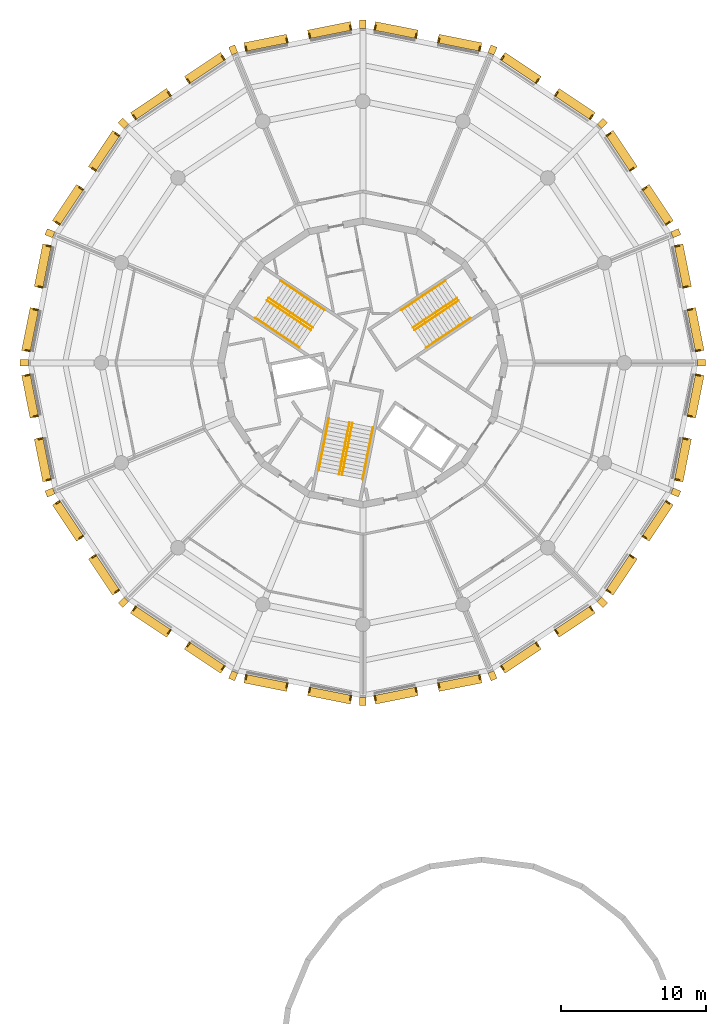
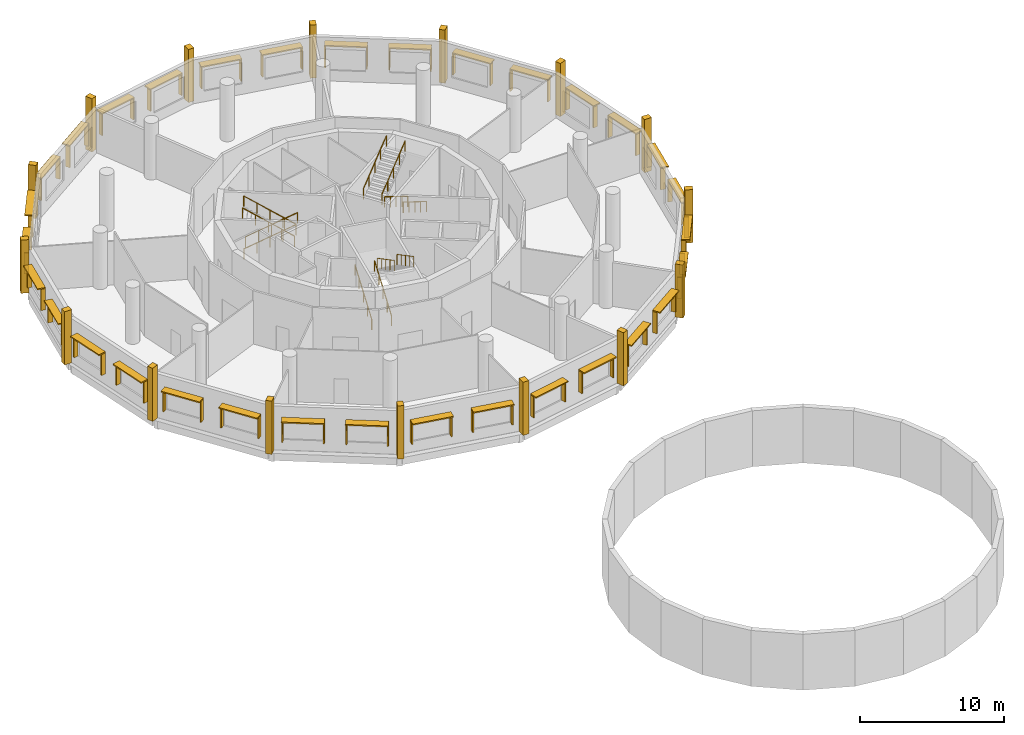
# One storey, part 8 of 8: 80 coverings, 32 shading devices, 12 railings.
"""IFC4 building model written with IfcOpenShell, lengths in metres."""

import ifcopenshell
import ifcopenshell.guid

model = None  # the IFC model being written
_history = None  # IfcOwnerHistory: only IFC2X3 demands one
_inside = {}  # id of a spatial element -> (the spatial element, [elements in it])
_under = {}  # id of a project, library or spatial element -> (it, [spatial elements below it])
_declared = {}  # id of a project -> (the project, [libraries it declares])
_typed = {}  # id of a type object -> (the type object, [elements of that type])
_made_of = {}  # id of a material, layer set ... -> (it, [elements and type objects made of it])


def new_model(schema):
    """Start an empty IFC model of exactly this schema.

    Asked for "IFC4X3", IfcOpenShell would pick the latest addendum, in which some entities
    have other attributes; the version numbers below select the first issue.
    IFC2X3 requires an IfcOwnerHistory on every rooted entity: one is made here for all.
    """
    global model, _history
    if schema == "IFC4X3":
        model = ifcopenshell.file(schema_version=(4, 3, 0, 0))
    else:
        model = ifcopenshell.file(schema=schema)
    _inside.clear()
    _under.clear()
    _declared.clear()
    _typed.clear()
    _made_of.clear()
    _history = None
    if model.schema == "IFC2X3":
        org = make("IfcOrganization", Name="unknown")
        user = make(
            "IfcPersonAndOrganization",
            ThePerson=make("IfcPerson", FamilyName="unknown"),
            TheOrganization=org,
        )
        app = make(
            "IfcApplication",
            ApplicationDeveloper=org,
            Version="unknown",
            ApplicationFullName="unknown",
            ApplicationIdentifier="unknown",
        )
        _history = make(
            "IfcOwnerHistory",
            OwningUser=user,
            OwningApplication=app,
            ChangeAction="ADDED",
            CreationDate=0,
        )
    return model


def make(cls, **values):
    """One entity of the class cls with the attributes given. An attribute that is None is left unset."""
    return model.create_entity(
        cls, **{name: value for name, value in values.items() if value is not None}
    )


def rooted(cls, **values):
    """An entity with a GlobalId (a new one), such as an element, a storey or a relation."""
    return make(cls, GlobalId=ifcopenshell.guid.new(), OwnerHistory=_history, **values)


def si_unit(unit_type, name, prefix=None):
    """IfcSIUnit, for example si_unit("LENGTHUNIT", "METRE", prefix="MILLI")."""
    return make("IfcSIUnit", UnitType=unit_type, Prefix=prefix, Name=name)


def assignment(units):
    """IfcUnitAssignment: the units of a project."""
    return None if units is None else make("IfcUnitAssignment", Units=units)


def point(xyz):
    """IfcCartesianPoint."""
    return None if xyz is None else make("IfcCartesianPoint", Coordinates=xyz)


def direction(xyz):
    """IfcDirection."""
    return None if xyz is None else make("IfcDirection", DirectionRatios=xyz)


def frame(location, z_axis=None, x_axis=None):
    """IfcAxis2Placement3D, a coordinate frame: its origin and axes. An axis left out is left unset."""
    return make(
        "IfcAxis2Placement3D",
        Location=point(location),
        Axis=direction(z_axis),
        RefDirection=direction(x_axis),
    )


def frame_2d(location, x_axis=None):
    """IfcAxis2Placement2D, a coordinate frame in the plane: its origin and x axis."""
    return make(
        "IfcAxis2Placement2D", Location=point(location), RefDirection=direction(x_axis)
    )


def origin():
    """The frame at (0, 0, 0) with its axes left unset."""
    return frame((0.0, 0.0, 0.0))


def origin_2d():
    """The frame at (0, 0) in the plane with its x axis left unset."""
    return frame_2d((0.0, 0.0))


def place(relative_to, where):
    """IfcLocalPlacement: puts the frame where relative to a parent placement (None: the world)."""
    return make(
        "IfcLocalPlacement", PlacementRelTo=relative_to, RelativePlacement=where
    )


def context(
    kind, dimensions, precision=None, world=None, true_north=None, identifier=None
):
    """IfcGeometricRepresentationContext, for example the 3D "Model" context."""
    return make(
        "IfcGeometricRepresentationContext",
        ContextIdentifier=identifier,
        ContextType=kind,
        CoordinateSpaceDimension=dimensions,
        Precision=precision,
        WorldCoordinateSystem=world,
        TrueNorth=true_north,
    )


def subcontext(parent, identifier, kind, view, scale=None):
    """IfcGeometricRepresentationSubContext, for example "Body" below "Model"."""
    return make(
        "IfcGeometricRepresentationSubContext",
        ContextIdentifier=identifier,
        ContextType=kind,
        ParentContext=parent,
        TargetScale=scale,
        TargetView=view,
    )


def project(units=None, contexts=None):
    """IfcProject with its units and contexts."""
    return rooted(
        "IfcProject",
        Name="project",
        RepresentationContexts=contexts,
        UnitsInContext=assignment(units),
    )


def spatial(cls, under=None, at=None, **own):
    """A site, building, storey or space (cls), placed at a placement, below another one or the project."""
    s = rooted(cls, ObjectPlacement=at, **own)
    if under is not None:
        _under.setdefault(under.id(), (under, []))[1].append(s)
    return s


def profile(cls, at=None, kind="AREA", **sizes):
    """A parametric profile (cls). Its sizes go by their IFC names, for example OverallWidth=200.0."""
    return make(cls, ProfileType=kind, Position=at, **sizes)


def rectangle(**sizes):
    """IfcRectangleProfileDef."""
    return profile("IfcRectangleProfileDef", **sizes)


def circle(**sizes):
    """IfcCircleProfileDef."""
    return profile("IfcCircleProfileDef", **sizes)


def extrude(swept, where, along, depth):
    """IfcExtrudedAreaSolid: the profile swept, set in the frame where, extruded along a direction by depth."""
    return make(
        "IfcExtrudedAreaSolid",
        SweptArea=swept,
        Position=where,
        ExtrudedDirection=direction(along),
        Depth=depth,
    )


def shape(context_of_items, identifier, shape_type, items):
    """IfcShapeRepresentation: the items that make up one representation, for example the "Body"."""
    return make(
        "IfcShapeRepresentation",
        ContextOfItems=context_of_items,
        RepresentationIdentifier=identifier,
        RepresentationType=shape_type,
        Items=items,
    )


def material(Name=None, Category=None):
    """IfcMaterial."""
    return make("IfcMaterial", Name=Name, Category=Category)


def layer(
    of_material, thickness, ventilated=None, Name=None, Category=None, Priority=None
):
    """IfcMaterialLayer: one layer of a wall or slab, of a material (None: an air gap)."""
    return make(
        "IfcMaterialLayer",
        Material=of_material,
        LayerThickness=thickness,
        IsVentilated=ventilated,
        Name=Name,
        Category=Category,
        Priority=Priority,
    )


def layer_set(layers, Name=None):
    """IfcMaterialLayerSet."""
    return make("IfcMaterialLayerSet", MaterialLayers=layers, LayerSetName=Name)


def made_of(thing, what):
    """Note that an element or type object is made of a material, layer set ...; save() writes the relation."""
    if what is not None:
        _made_of.setdefault(what.id(), (what, []))[1].append(thing)
    return thing


def type_object(cls, material=None, **own):
    """A type object (cls), such as IfcWallType, which elements share."""
    return made_of(rooted(cls, **own), material)


def element(
    cls,
    number,
    at=None,
    inside=None,
    cuts=None,
    type_object=None,
    material=None,
    context=None,
    identifier="Body",
    shape_type=None,
    held_by="IfcProductDefinitionShape",
    body=None,
    shapes=None,
    **own,
):
    """One element of the class cls, such as IfcWall. Its Tag is "e" and its number.

    at: its placement. inside: the storey or other place that contains it. cuts: it is an
    opening in that element (IfcRelVoidsElement). A single representation is given by context,
    identifier, shape_type and body (its items); several are given by shapes. held_by: the class
    of the entity that holds the representations. save() writes the other relations.
    """
    e = rooted(cls, Tag="e%d" % number, ObjectPlacement=at, **own)
    if body is not None:
        shapes = [shape(context, identifier, shape_type, body)]
    if shapes is not None:
        e.Representation = make(held_by, Representations=shapes)
    if inside is not None:
        _inside.setdefault(inside.id(), (inside, []))[1].append(e)
    if cuts is not None:
        rooted(
            "IfcRelVoidsElement", RelatingBuildingElement=cuts, RelatedOpeningElement=e
        )
    if type_object is not None:
        _typed.setdefault(type_object.id(), (type_object, []))[1].append(e)
    return made_of(e, material)


def aggregate(whole, parts):
    """IfcRelAggregates: a whole, such as a stair, and the parts it consists of."""
    return rooted("IfcRelAggregates", RelatingObject=whole, RelatedObjects=parts)


def save(model, path):
    """Write the relations noted so far, then the file.

    IfcRelAggregates (storeys below a building ...), IfcRelContainedInSpatialStructure (elements
    in a storey), IfcRelDefinesByType, IfcRelAssociatesMaterial and IfcRelDeclares: one each for
    every whole, place, type object, material and project.
    """
    for whole, parts in _under.values():
        aggregate(whole, parts)
    for where, things in _inside.values():
        rooted(
            "IfcRelContainedInSpatialStructure",
            RelatedElements=things,
            RelatingStructure=where,
        )
    for kind, things in _typed.values():
        rooted("IfcRelDefinesByType", RelatedObjects=things, RelatingType=kind)
    for what, things in _made_of.values():
        rooted("IfcRelAssociatesMaterial", RelatedObjects=things, RelatingMaterial=what)
    for by, libraries in _declared.values():
        rooted("IfcRelDeclares", RelatingContext=by, RelatedDefinitions=libraries)
    model.write(path)


model = new_model("IFC4")

# Units and contexts
model_context = context("Model", 3, precision=1e-05, world=origin(), true_north=direction((0.0, 1.0)))
body_context = subcontext(model_context, "Body", "Model", "MODEL_VIEW")
ifc_project = project(units=[si_unit("LENGTHUNIT", "METRE"), si_unit("AREAUNIT", "SQUARE_METRE"), si_unit("VOLUMEUNIT", "CUBIC_METRE"), si_unit("PLANEANGLEUNIT", "RADIAN"), si_unit("MASSUNIT", "GRAM", prefix="KILO")], contexts=[model_context])

# Site, building, storey
site_placement = place(None, origin())
site = spatial("IfcSite", under=ifc_project, at=site_placement, CompositionType="ELEMENT")
building_placement = place(site_placement, origin())
building = spatial("IfcBuilding", under=site, at=building_placement, Name="Ceibo Conservatory and Research Tower", CompositionType="ELEMENT")
storey_placement = place(building_placement, frame((0.0, 0.0, 10.800048828125)))
storey = spatial("IfcBuildingStorey", under=building, at=storey_placement, Name="L02", CompositionType="ELEMENT", Elevation=10.800048828125)

# Shading devices
ifc_material_1 = material(Name="Ceramic louvre")
ifc_layer_1 = layer(ifc_material_1, 0.10009765625)
ifc_layer_set_1 = layer_set([ifc_layer_1], Name="Ceramic louvre")
shading_device_type = type_object("IfcShadingDeviceType", Name="Ceramic louvre hood 600", PredefinedType="JALOUSIE", material=ifc_layer_set_1)
for number, where, z_axis, x_axis, name in (
    (1, (70.905517578125, 122.278564453125, 2.699951171875), (0.0, 0.0, 1.0), (-0.195090339134, 0.980785276998, 0.0), "Louvre hood L02 00.1"),
    (2, (70.033935546875, 126.660400390625, 2.699951171875), (0.0, 0.0, 1.0), (-0.195090339134, 0.980785276998, 0.0), "Louvre hood L02 00.2"),
    (3, (68.2900390625, 130.870849609375, 2.699951171875), (0.0, 0.0, 1.0), (-0.555570262043, 0.831469592909, 0.0), "Louvre hood L02 01.1"),
    (4, (65.807861328125, 134.58544921875, 2.699951171875), (0.0, 0.0, 1.0), (-0.555570262043, 0.831469592909, 0.0), "Louvre hood L02 01.2"),
    (5, (62.58544921875, 137.807861328125, 2.699951171875), (0.0, 0.0, 1.0), (-0.831469592909, 0.555570262043, 0.0), "Louvre hood L02 02.1"),
    (6, (58.870849609375, 140.2900390625, 2.699951171875), (0.0, 0.0, 1.0), (-0.831469592909, 0.555570262043, 0.0), "Louvre hood L02 02.2"),
    (7, (54.660400390625, 142.033935546875, 2.699951171875), (0.0, 0.0, 1.0), (-0.980785276998, 0.195090339134, 0.0), "Louvre hood L02 03.1"),
    (8, (50.278564453125, 142.905517578125, 2.699951171875), (0.0, 0.0, 1.0), (-0.980785276998, 0.195090339134, 0.0), "Louvre hood L02 03.2"),
    (9, (45.721435546875, 142.905517578125, 2.699951171875), (0.0, 0.0, 1.0), (-0.980785276998, -0.195090339134, 0.0), "Louvre hood L02 04.1"),
    (10, (41.339599609375, 142.033935546875, 2.699951171875), (0.0, 0.0, 1.0), (-0.980785276998, -0.195090339134, 0.0), "Louvre hood L02 04.2"),
    (11, (37.129150390625, 140.2900390625, 2.699951171875), (0.0, 0.0, 1.0), (-0.831469592909, -0.555570262043, 0.0), "Louvre hood L02 05.1"),
    (12, (33.41455078125, 137.807861328125, 2.699951171875), (0.0, 0.0, 1.0), (-0.831469592909, -0.555570262043, 0.0), "Louvre hood L02 05.2"),
    (13, (30.192138671875, 134.58544921875, 2.699951171875), (0.0, 0.0, 1.0), (-0.555570262043, -0.831469592909, 0.0), "Louvre hood L02 06.1"),
    (14, (27.7099609375, 130.870849609375, 2.699951171875), (0.0, 0.0, 1.0), (-0.555570262043, -0.831469592909, 0.0), "Louvre hood L02 06.2"),
    (15, (25.966064453125, 126.660400390625, 2.699951171875), (0.0, 0.0, 1.0), (-0.195090339134, -0.980785276998, 0.0), "Louvre hood L02 07.1"),
    (16, (25.094482421875, 122.278564453125, 2.699951171875), (0.0, 0.0, 1.0), (-0.195090339134, -0.980785276998, 0.0), "Louvre hood L02 07.2"),
    (17, (25.094482421875, 117.721435546875, 2.699951171875), (0.0, 0.0, 1.0), (0.195090339134, -0.980785276998, 0.0), "Louvre hood L02 08.1"),
    (18, (25.966064453125, 113.339599609375, 2.699951171875), (0.0, 0.0, 1.0), (0.195090339134, -0.980785276998, 0.0), "Louvre hood L02 08.2"),
    (19, (27.7099609375, 109.129150390625, 2.699951171875), (0.0, 0.0, 1.0), (0.555570262043, -0.831469592909, 0.0), "Louvre hood L02 09.1"),
    (20, (30.192138671875, 105.41455078125, 2.699951171875), (0.0, 0.0, 1.0), (0.555570262043, -0.831469592909, 0.0), "Louvre hood L02 09.2"),
    (21, (33.41455078125, 102.192138671875, 2.699951171875), (0.0, 0.0, 1.0), (0.831469592909, -0.555570262043, 0.0), "Louvre hood L02 10.1"),
    (22, (37.129150390625, 99.7099609375, 2.699951171875), (0.0, 0.0, 1.0), (0.831469592909, -0.555570262043, 0.0), "Louvre hood L02 10.2"),
    (23, (41.339599609375, 97.966064453125, 2.699951171875), (0.0, 0.0, 1.0), (0.980785276998, -0.195090339134, 0.0), "Louvre hood L02 11.1"),
    (24, (45.721435546875, 97.094482421875, 2.699951171875), (0.0, 0.0, 1.0), (0.980785276998, -0.195090339134, 0.0), "Louvre hood L02 11.2"),
    (25, (50.278564453125, 97.094482421875, 2.699951171875), (0.0, 0.0, 1.0), (0.980785276998, 0.195090339134, 0.0), "Louvre hood L02 12.1"),
    (26, (54.660400390625, 97.966064453125, 2.699951171875), (0.0, 0.0, 1.0), (0.980785276998, 0.195090339134, 0.0), "Louvre hood L02 12.2"),
    (27, (58.870849609375, 99.7099609375, 2.699951171875), (0.0, 0.0, 1.0), (0.831469592909, 0.555570262043, 0.0), "Louvre hood L02 13.1"),
    (28, (62.58544921875, 102.192138671875, 2.699951171875), (0.0, 0.0, 1.0), (0.831469592909, 0.555570262043, 0.0), "Louvre hood L02 13.2"),
    (29, (65.807861328125, 105.41455078125, 2.699951171875), (0.0, 0.0, 1.0), (0.555570262043, 0.831469592909, 0.0), "Louvre hood L02 14.1"),
    (30, (68.2900390625, 109.129150390625, 2.699951171875), (0.0, 0.0, 1.0), (0.555570262043, 0.831469592909, 0.0), "Louvre hood L02 14.2"),
    (31, (70.033935546875, 113.339599609375, 2.699951171875), (0.0, 0.0, 1.0), (0.195090339134, 0.980785276998, 0.0), "Louvre hood L02 15.1"),
    (32, (70.905517578125, 117.721435546875, 2.699951171875), (0.0, 0.0, 1.0), (0.195090339134, 0.980785276998, 0.0), "Louvre hood L02 15.2"),
):
    element("IfcShadingDevice", number, at=place(storey_placement, frame(where, z_axis=z_axis, x_axis=x_axis)), inside=storey, type_object=shading_device_type, Name=name, PredefinedType="JALOUSIE", context=body_context, shape_type="SweptSolid", body=[
        extrude(rectangle(XDim=3.0, YDim=0.60009765625, at=origin_2d()), origin(), (0.0, 0.0, 1.0), 0.10009765625),
    ])

# Coverings
ifc_material_2 = material(Name="Ceramic")
ifc_layer_2 = layer(ifc_material_2, 0.10009765625)
ifc_layer_set_2 = layer_set([ifc_layer_2], Name="Ceramic")
covering_type_1 = type_object("IfcCoveringType", Name="Ceramic reveal cheek 100 x 350", PredefinedType="CLADDING", material=ifc_layer_set_2)
for number, where, z_axis, x_axis, name in (
    (33, (71.06591796875, 120.83203125, 0.89990234375), (0.0, 0.0, 1.0), (-0.195090339134, 0.980785276998, 0.0), "Reveal cheek L02 00.1L"),
    (34, (70.5, 123.676513671875, 0.89990234375), (0.0, 0.0, 1.0), (-0.195090339134, 0.980785276998, 0.0), "Reveal cheek L02 00.1R"),
    (35, (70.1943359375, 125.2138671875, 0.89990234375), (0.0, 0.0, 1.0), (-0.195090339134, 0.980785276998, 0.0), "Reveal cheek L02 00.2L"),
    (36, (69.62841796875, 128.05810546875, 0.89990234375), (0.0, 0.0, 1.0), (-0.195090339134, 0.980785276998, 0.0), "Reveal cheek L02 00.2R"),
    (37, (68.99169921875, 129.595703125, 0.89990234375), (0.0, 0.0, 1.0), (-0.555570262043, 0.831469592909, 0.0), "Reveal cheek L02 01.1L"),
    (38, (67.38037109375, 132.007080078125, 0.89990234375), (0.0, 0.0, 1.0), (-0.555570262043, 0.831469592909, 0.0), "Reveal cheek L02 01.1R"),
    (39, (66.509521484375, 133.310302734375, 0.89990234375), (0.0, 0.0, 1.0), (-0.555570262043, 0.831469592909, 0.0), "Reveal cheek L02 01.2L"),
    (40, (64.8984375, 135.7216796875, 0.89990234375), (0.0, 0.0, 1.0), (-0.555570262043, 0.831469592909, 0.0), "Reveal cheek L02 01.2R"),
    (41, (63.7216796875, 136.8984375, 0.89990234375), (0.0, 0.0, 1.0), (-0.831469592909, 0.555570262043, 0.0), "Reveal cheek L02 02.1L"),
    (42, (61.310302734375, 138.509521484375, 0.89990234375), (0.0, 0.0, 1.0), (-0.831469592909, 0.555570262043, 0.0), "Reveal cheek L02 02.1R"),
    (43, (60.0068359375, 139.380615234375, 0.89990234375), (0.0, 0.0, 1.0), (-0.831469592909, 0.555570262043, 0.0), "Reveal cheek L02 02.2L"),
    (44, (57.595703125, 140.99169921875, 0.89990234375), (0.0, 0.0, 1.0), (-0.831469592909, 0.555570262043, 0.0), "Reveal cheek L02 02.2R"),
    (45, (56.05810546875, 141.62841796875, 0.89990234375), (0.0, 0.0, 1.0), (-0.980785276998, 0.195090339134, 0.0), "Reveal cheek L02 03.1L"),
    (46, (53.2138671875, 142.1943359375, 0.89990234375), (0.0, 0.0, 1.0), (-0.980785276998, 0.195090339134, 0.0), "Reveal cheek L02 03.1R"),
    (47, (51.67626953125, 142.5, 0.89990234375), (0.0, 0.0, 1.0), (-0.980785276998, 0.195090339134, 0.0), "Reveal cheek L02 03.2L"),
    (48, (48.83203125, 143.06591796875, 0.89990234375), (0.0, 0.0, 1.0), (-0.980785276998, 0.195090339134, 0.0), "Reveal cheek L02 03.2R"),
    (49, (47.16796875, 143.06591796875, 0.89990234375), (0.0, 0.0, 1.0), (-0.980785276998, -0.195090339134, 0.0), "Reveal cheek L02 04.1L"),
    (50, (44.323486328125, 142.5, 0.89990234375), (0.0, 0.0, 1.0), (-0.980785276998, -0.195090339134, 0.0), "Reveal cheek L02 04.1R"),
    (51, (42.7861328125, 142.1943359375, 0.89990234375), (0.0, 0.0, 1.0), (-0.980785276998, -0.195090339134, 0.0), "Reveal cheek L02 04.2L"),
    (52, (39.94189453125, 141.62841796875, 0.89990234375), (0.0, 0.0, 1.0), (-0.980785276998, -0.195090339134, 0.0), "Reveal cheek L02 04.2R"),
    (53, (38.404296875, 140.99169921875, 0.89990234375), (0.0, 0.0, 1.0), (-0.831469592909, -0.555570262043, 0.0), "Reveal cheek L02 05.1L"),
    (54, (35.992919921875, 139.38037109375, 0.89990234375), (0.0, 0.0, 1.0), (-0.831469592909, -0.555570262043, 0.0), "Reveal cheek L02 05.1R"),
    (55, (34.689697265625, 138.509521484375, 0.89990234375), (0.0, 0.0, 1.0), (-0.831469592909, -0.555570262043, 0.0), "Reveal cheek L02 05.2L"),
    (56, (32.2783203125, 136.8984375, 0.89990234375), (0.0, 0.0, 1.0), (-0.831469592909, -0.555570262043, 0.0), "Reveal cheek L02 05.2R"),
    (57, (31.1015625, 135.7216796875, 0.89990234375), (0.0, 0.0, 1.0), (-0.555570262043, -0.831469592909, 0.0), "Reveal cheek L02 06.1L"),
    (58, (29.490478515625, 133.310302734375, 0.89990234375), (0.0, 0.0, 1.0), (-0.555570262043, -0.831469592909, 0.0), "Reveal cheek L02 06.1R"),
    (59, (28.619384765625, 132.0068359375, 0.89990234375), (0.0, 0.0, 1.0), (-0.555570262043, -0.831469592909, 0.0), "Reveal cheek L02 06.2L"),
    (60, (27.00830078125, 129.595703125, 0.89990234375), (0.0, 0.0, 1.0), (-0.555570262043, -0.831469592909, 0.0), "Reveal cheek L02 06.2R"),
    (61, (26.37158203125, 128.05810546875, 0.89990234375), (0.0, 0.0, 1.0), (-0.195090339134, -0.980785276998, 0.0), "Reveal cheek L02 07.1L"),
    (62, (25.8056640625, 125.2138671875, 0.89990234375), (0.0, 0.0, 1.0), (-0.195090339134, -0.980785276998, 0.0), "Reveal cheek L02 07.1R"),
    (63, (25.5, 123.67626953125, 0.89990234375), (0.0, 0.0, 1.0), (-0.195090339134, -0.980785276998, 0.0), "Reveal cheek L02 07.2L"),
    (64, (24.93408203125, 120.83203125, 0.89990234375), (0.0, 0.0, 1.0), (-0.195090339134, -0.980785276998, 0.0), "Reveal cheek L02 07.2R"),
    (65, (24.93408203125, 119.16796875, 0.89990234375), (0.0, 0.0, 1.0), (0.195090339134, -0.980785276998, 0.0), "Reveal cheek L02 08.1L"),
    (66, (25.5, 116.323486328125, 0.89990234375), (0.0, 0.0, 1.0), (0.195090339134, -0.980785276998, 0.0), "Reveal cheek L02 08.1R"),
    (67, (25.8056640625, 114.7861328125, 0.89990234375), (0.0, 0.0, 1.0), (0.195090339134, -0.980785276998, 0.0), "Reveal cheek L02 08.2L"),
    (68, (26.37158203125, 111.94189453125, 0.89990234375), (0.0, 0.0, 1.0), (0.195090339134, -0.980785276998, 0.0), "Reveal cheek L02 08.2R"),
    (69, (27.00830078125, 110.404296875, 0.89990234375), (0.0, 0.0, 1.0), (0.555570262043, -0.831469592909, 0.0), "Reveal cheek L02 09.1L"),
    (70, (28.61962890625, 107.992919921875, 0.89990234375), (0.0, 0.0, 1.0), (0.555570262043, -0.831469592909, 0.0), "Reveal cheek L02 09.1R"),
    (71, (29.490478515625, 106.689697265625, 0.89990234375), (0.0, 0.0, 1.0), (0.555570262043, -0.831469592909, 0.0), "Reveal cheek L02 09.2L"),
    (72, (31.1015625, 104.2783203125, 0.89990234375), (0.0, 0.0, 1.0), (0.555570262043, -0.831469592909, 0.0), "Reveal cheek L02 09.2R"),
    (73, (32.2783203125, 103.1015625, 0.89990234375), (0.0, 0.0, 1.0), (0.831469592909, -0.555570262043, 0.0), "Reveal cheek L02 10.1L"),
    (74, (34.689697265625, 101.490478515625, 0.89990234375), (0.0, 0.0, 1.0), (0.831469592909, -0.555570262043, 0.0), "Reveal cheek L02 10.1R"),
    (75, (35.9931640625, 100.619384765625, 0.89990234375), (0.0, 0.0, 1.0), (0.831469592909, -0.555570262043, 0.0), "Reveal cheek L02 10.2L"),
    (76, (38.404296875, 99.00830078125, 0.89990234375), (0.0, 0.0, 1.0), (0.831469592909, -0.555570262043, 0.0), "Reveal cheek L02 10.2R"),
    (77, (39.94189453125, 98.37158203125, 0.89990234375), (0.0, 0.0, 1.0), (0.980785276998, -0.195090339134, 0.0), "Reveal cheek L02 11.1L"),
    (78, (42.7861328125, 97.8056640625, 0.89990234375), (0.0, 0.0, 1.0), (0.980785276998, -0.195090339134, 0.0), "Reveal cheek L02 11.1R"),
    (79, (44.32373046875, 97.5, 0.89990234375), (0.0, 0.0, 1.0), (0.980785276998, -0.195090339134, 0.0), "Reveal cheek L02 11.2L"),
    (80, (47.16796875, 96.93408203125, 0.89990234375), (0.0, 0.0, 1.0), (0.980785276998, -0.195090339134, 0.0), "Reveal cheek L02 11.2R"),
    (81, (48.83203125, 96.93408203125, 0.89990234375), (0.0, 0.0, 1.0), (0.980785276998, 0.195090339134, 0.0), "Reveal cheek L02 12.1L"),
    (82, (51.676513671875, 97.5, 0.89990234375), (0.0, 0.0, 1.0), (0.980785276998, 0.195090339134, 0.0), "Reveal cheek L02 12.1R"),
    (83, (53.2138671875, 97.8056640625, 0.89990234375), (0.0, 0.0, 1.0), (0.980785276998, 0.195090339134, 0.0), "Reveal cheek L02 12.2L"),
    (84, (56.05810546875, 98.37158203125, 0.89990234375), (0.0, 0.0, 1.0), (0.980785276998, 0.195090339134, 0.0), "Reveal cheek L02 12.2R"),
    (85, (57.595703125, 99.00830078125, 0.89990234375), (0.0, 0.0, 1.0), (0.831469592909, 0.555570262043, 0.0), "Reveal cheek L02 13.1L"),
    (86, (60.007080078125, 100.61962890625, 0.89990234375), (0.0, 0.0, 1.0), (0.831469592909, 0.555570262043, 0.0), "Reveal cheek L02 13.1R"),
    (87, (61.310302734375, 101.490478515625, 0.89990234375), (0.0, 0.0, 1.0), (0.831469592909, 0.555570262043, 0.0), "Reveal cheek L02 13.2L"),
    (88, (63.7216796875, 103.1015625, 0.89990234375), (0.0, 0.0, 1.0), (0.831469592909, 0.555570262043, 0.0), "Reveal cheek L02 13.2R"),
    (89, (64.8984375, 104.2783203125, 0.89990234375), (0.0, 0.0, 1.0), (0.555570262043, 0.831469592909, 0.0), "Reveal cheek L02 14.1L"),
    (90, (66.509521484375, 106.689697265625, 0.89990234375), (0.0, 0.0, 1.0), (0.555570262043, 0.831469592909, 0.0), "Reveal cheek L02 14.1R"),
    (91, (67.380615234375, 107.9931640625, 0.89990234375), (0.0, 0.0, 1.0), (0.555570262043, 0.831469592909, 0.0), "Reveal cheek L02 14.2L"),
    (92, (68.99169921875, 110.404296875, 0.89990234375), (0.0, 0.0, 1.0), (0.555570262043, 0.831469592909, 0.0), "Reveal cheek L02 14.2R"),
    (93, (69.62841796875, 111.94189453125, 0.89990234375), (0.0, 0.0, 1.0), (0.195090339134, 0.980785276998, 0.0), "Reveal cheek L02 15.1L"),
    (94, (70.1943359375, 114.7861328125, 0.89990234375), (0.0, 0.0, 1.0), (0.195090339134, 0.980785276998, 0.0), "Reveal cheek L02 15.1R"),
    (95, (70.5, 116.32373046875, 0.89990234375), (0.0, 0.0, 1.0), (0.195090339134, 0.980785276998, 0.0), "Reveal cheek L02 15.2L"),
    (96, (71.06591796875, 119.16796875, 0.89990234375), (0.0, 0.0, 1.0), (0.195090339134, 0.980785276998, 0.0), "Reveal cheek L02 15.2R"),
):
    element("IfcCovering", number, at=place(storey_placement, frame(where, z_axis=z_axis, x_axis=x_axis)), inside=storey, type_object=covering_type_1, Name=name, PredefinedType="CLADDING", context=body_context, shape_type="SweptSolid", body=[
        extrude(rectangle(XDim=0.10009765625, YDim=0.35009765625, at=origin_2d()), origin(), (0.0, 0.0, 1.0), 1.800048828125),
    ])
ifc_material_3 = material(Name="Concrete C35/45", Category="concrete")
covering_type_2 = type_object("IfcCoveringType", Name="Precast concrete pier 450x550", PredefinedType="CLADDING", material=ifc_material_3)
for number, where, z_axis, x_axis, name in (
    (97, (71.31787109375, 120.0, 0.0), (0.0, 0.0, 1.0), (1.0, 0.0, 0.0), "Precast pier 02.01"),
    (98, (69.54296875, 128.92333984375, 0.0), (0.0, 0.0, 1.0), (0.923879532511, 0.382683432365, 0.0), "Precast pier 02.02"),
    (99, (64.48828125, 136.48828125, 0.0), (0.0, 0.0, 1.0), (0.707106781187, 0.707106781187, 0.0), "Precast pier 02.03"),
    (100, (56.92333984375, 141.54296875, 0.0), (0.0, 0.0, 1.0), (0.382683432365, 0.923879532511, 0.0), "Precast pier 02.04"),
    (101, (48.0, 143.31787109375, 0.0), (0.0, 0.0, 1.0), (0.0, 1.0, 0.0), "Precast pier 02.05"),
    (102, (39.07666015625, 141.54296875, 0.0), (0.0, 0.0, 1.0), (-0.382683432365, 0.923879532511, 0.0), "Precast pier 02.06"),
    (103, (31.51171875, 136.48828125, 0.0), (0.0, 0.0, 1.0), (-0.707106781187, 0.707106781187, 0.0), "Precast pier 02.07"),
    (104, (26.45703125, 128.92333984375, 0.0), (0.0, 0.0, 1.0), (-0.923879532511, 0.382683432365, 0.0), "Precast pier 02.08"),
    (105, (24.68212890625, 120.0, 0.0), (0.0, 0.0, 1.0), (-1.0, 0.0, 0.0), "Precast pier 02.09"),
    (106, (26.45703125, 111.07666015625, 0.0), (0.0, 0.0, 1.0), (-0.923879532511, -0.382683432365, 0.0), "Precast pier 02.10"),
    (107, (31.51171875, 103.51171875, 0.0), (0.0, 0.0, 1.0), (-0.707106781187, -0.707106781187, 0.0), "Precast pier 02.11"),
    (108, (39.07666015625, 98.45703125, 0.0), (0.0, 0.0, 1.0), (-0.382683432365, -0.923879532511, 0.0), "Precast pier 02.12"),
    (109, (48.0, 96.68212890625, 0.0), (0.0, 0.0, 1.0), (0.0, -1.0, 0.0), "Precast pier 02.13"),
    (110, (56.92333984375, 98.45703125, 0.0), (0.0, 0.0, 1.0), (0.382683432365, -0.923879532511, 0.0), "Precast pier 02.14"),
    (111, (64.48828125, 103.51171875, 0.0), (0.0, 0.0, 1.0), (0.707106781187, -0.707106781187, 0.0), "Precast pier 02.15"),
    (112, (69.54296875, 111.07666015625, 0.0), (0.0, 0.0, 1.0), (0.923879532511, -0.382683432365, 0.0), "Precast pier 02.16"),
):
    element("IfcCovering", number, at=place(storey_placement, frame(where, z_axis=z_axis, x_axis=x_axis)), inside=storey, type_object=covering_type_2, Name=name, PredefinedType="CLADDING", context=body_context, shape_type="SweptSolid", body=[
        extrude(rectangle(XDim=0.570068359375, YDim=0.449951171875, at=origin_2d()), origin(), (0.0, 0.0, 1.0), 4.52001953125),
    ])

# Railings
ifc_material_4 = material(Name="Stainless steel AISI 316", Category="steel")
railing_type = type_object("IfcRailingType", Name="Stair handrail 900", PredefinedType="HANDRAIL", material=ifc_material_4)
railing_1_placement = place(storey_placement, frame((55.394287109375, 123.07763671875, 0.17138671875)))
element("IfcRailing", 113, at=railing_1_placement, inside=storey, type_object=railing_type, Name="Handrail ST1 02 1a", PredefinedType="HANDRAIL", context=body_context, shape_type="SweptSolid", body=[
    extrude(circle(Radius=0.02392578125, at=origin_2d()), frame((0.0, 0.0, 0.8759765625), z_axis=(-0.709136631982, -0.473806463073, 0.522142387411), x_axis=(0.555551194891, -0.831482332858, 0.0)), (0.0, 0.0, 1.0), 4.26806640625),
    extrude(circle(Radius=0.02099609375, at=origin_2d()), origin(), (0.0, 0.0, 1.0), 0.851806640625),
    extrude(circle(Radius=0.02099609375, at=origin_2d()), frame((-0.756591796875, -0.505615234375, 0.55712890625)), (0.0, 0.0, 1.0), 0.851806640625),
    extrude(circle(Radius=0.02099609375, at=origin_2d()), frame((-1.51318359375, -1.01123046875, 1.1142578125)), (0.0, 0.0, 1.0), 0.851806640625),
    extrude(circle(Radius=0.02099609375, at=origin_2d()), frame((-2.27001953125, -1.5166015625, 1.67138671875)), (0.0, 0.0, 1.0), 0.851806640625),
    extrude(circle(Radius=0.02099609375, at=origin_2d()), frame((-3.026611328125, -2.022216796875, 2.228515625)), (0.0, 0.0, 1.0), 0.851806640625),
])
railing_2_placement = place(storey_placement, frame((54.589599609375, 124.28173828125, 0.17138671875)))
element("IfcRailing", 114, at=railing_2_placement, inside=storey, type_object=railing_type, Name="Handrail ST1 02 1b", PredefinedType="HANDRAIL", context=body_context, shape_type="SweptSolid", body=[
    extrude(circle(Radius=0.02392578125, at=origin_2d()), frame((0.0, 0.0, 0.8759765625), z_axis=(-0.709088972795, -0.473870042807, 0.522149414623), x_axis=(0.555628546784, -0.831430645333, 0.0)), (0.0, 0.0, 1.0), 4.26806640625),
    extrude(circle(Radius=0.02099609375, at=origin_2d()), origin(), (0.0, 0.0, 1.0), 0.851806640625),
    extrude(circle(Radius=0.02099609375, at=origin_2d()), frame((-0.756591796875, -0.505615234375, 0.55712890625)), (0.0, 0.0, 1.0), 0.851806640625),
    extrude(circle(Radius=0.02099609375, at=origin_2d()), frame((-1.51318359375, -1.01123046875, 1.1142578125)), (0.0, 0.0, 1.0), 0.851806640625),
    extrude(circle(Radius=0.02099609375, at=origin_2d()), frame((-2.269775390625, -1.516845703125, 1.67138671875)), (0.0, 0.0, 1.0), 0.851806640625),
    extrude(circle(Radius=0.02099609375, at=origin_2d()), frame((-3.0263671875, -2.0224609375, 2.228515625)), (0.0, 0.0, 1.0), 0.851806640625),
])
railing_3_placement = place(storey_placement, frame((50.646240234375, 123.63134765625, 2.5712890625)))
element("IfcRailing", 115, at=railing_3_placement, inside=storey, type_object=railing_type, Name="Handrail ST1 02 2a", PredefinedType="HANDRAIL", context=body_context, shape_type="SweptSolid", body=[
    extrude(circle(Radius=0.02392578125, at=origin_2d()), frame((0.0, 0.0, 0.8759765625), z_axis=(0.709136631982, 0.473806463073, 0.522142387411), x_axis=(-0.555551194891, 0.831482332858, 0.0)), (0.0, 0.0, 1.0), 4.26806640625),
    extrude(circle(Radius=0.02099609375, at=origin_2d()), origin(), (0.0, 0.0, 1.0), 0.851806640625),
    extrude(circle(Radius=0.02099609375, at=origin_2d()), frame((0.756591796875, 0.505615234375, 0.55712890625)), (0.0, 0.0, 1.0), 0.851806640625),
    extrude(circle(Radius=0.02099609375, at=origin_2d()), frame((1.51318359375, 1.01123046875, 1.1142578125)), (0.0, 0.0, 1.0), 0.851806640625),
    extrude(circle(Radius=0.02099609375, at=origin_2d()), frame((2.27001953125, 1.5166015625, 1.67138671875)), (0.0, 0.0, 1.0), 0.851806640625),
    extrude(circle(Radius=0.02099609375, at=origin_2d()), frame((3.026611328125, 2.022216796875, 2.228515625)), (0.0, 0.0, 1.0), 0.851806640625),
])
railing_4_placement = place(storey_placement, frame((51.450927734375, 122.42724609375, 2.5712890625)))
element("IfcRailing", 116, at=railing_4_placement, inside=storey, type_object=railing_type, Name="Handrail ST1 02 2b", PredefinedType="HANDRAIL", context=body_context, shape_type="SweptSolid", body=[
    extrude(circle(Radius=0.02392578125, at=origin_2d()), frame((0.0, 0.0, 0.8759765625), z_axis=(0.709088972795, 0.473870042807, 0.522149414623), x_axis=(-0.555628546784, 0.831430645333, 0.0)), (0.0, 0.0, 1.0), 4.26806640625),
    extrude(circle(Radius=0.02099609375, at=origin_2d()), origin(), (0.0, 0.0, 1.0), 0.851806640625),
    extrude(circle(Radius=0.02099609375, at=origin_2d()), frame((0.756591796875, 0.505615234375, 0.55712890625)), (0.0, 0.0, 1.0), 0.851806640625),
    extrude(circle(Radius=0.02099609375, at=origin_2d()), frame((1.51318359375, 1.01123046875, 1.1142578125)), (0.0, 0.0, 1.0), 0.851806640625),
    extrude(circle(Radius=0.02099609375, at=origin_2d()), frame((2.269775390625, 1.516845703125, 1.67138671875)), (0.0, 0.0, 1.0), 0.851806640625),
    extrude(circle(Radius=0.02099609375, at=origin_2d()), frame((3.0263671875, 2.0224609375, 2.228515625)), (0.0, 0.0, 1.0), 0.851806640625),
])
railing_5_placement = place(storey_placement, frame((42.3271484375, 125.653564453125, 0.17138671875)))
element("IfcRailing", 117, at=railing_5_placement, inside=storey, type_object=railing_type, Name="Handrail ST2 02 1a", PredefinedType="HANDRAIL", context=body_context, shape_type="SweptSolid", body=[
    extrude(circle(Radius=0.02392578125, at=origin_2d()), frame((0.0, 0.0, 0.8759765625), z_axis=(0.709088972795, -0.473870042807, 0.522149414623), x_axis=(0.555628546784, 0.831430645333, 0.0)), (0.0, 0.0, 1.0), 4.26806640625),
    extrude(circle(Radius=0.02099609375, at=origin_2d()), origin(), (0.0, 0.0, 1.0), 0.851806640625),
    extrude(circle(Radius=0.02099609375, at=origin_2d()), frame((0.756591796875, -0.505615234375, 0.55712890625)), (0.0, 0.0, 1.0), 0.851806640625),
    extrude(circle(Radius=0.02099609375, at=origin_2d()), frame((1.51318359375, -1.01123046875, 1.1142578125)), (0.0, 0.0, 1.0), 0.851806640625),
    extrude(circle(Radius=0.02099609375, at=origin_2d()), frame((2.269775390625, -1.516845703125, 1.67138671875)), (0.0, 0.0, 1.0), 0.851806640625),
    extrude(circle(Radius=0.02099609375, at=origin_2d()), frame((3.0263671875, -2.0224609375, 2.228515625)), (0.0, 0.0, 1.0), 0.851806640625),
])
railing_6_placement = place(storey_placement, frame((41.5224609375, 124.449462890625, 0.17138671875)))
element("IfcRailing", 118, at=railing_6_placement, inside=storey, type_object=railing_type, Name="Handrail ST2 02 1b", PredefinedType="HANDRAIL", context=body_context, shape_type="SweptSolid", body=[
    extrude(circle(Radius=0.02392578125, at=origin_2d()), frame((0.0, 0.0, 0.8759765625), z_axis=(0.709136631982, -0.473806463073, 0.522142387411), x_axis=(0.555551194891, 0.831482332858, 0.0)), (0.0, 0.0, 1.0), 4.26806640625),
    extrude(circle(Radius=0.02099609375, at=origin_2d()), origin(), (0.0, 0.0, 1.0), 0.851806640625),
    extrude(circle(Radius=0.02099609375, at=origin_2d()), frame((0.756591796875, -0.505615234375, 0.55712890625)), (0.0, 0.0, 1.0), 0.851806640625),
    extrude(circle(Radius=0.02099609375, at=origin_2d()), frame((1.51318359375, -1.01123046875, 1.1142578125)), (0.0, 0.0, 1.0), 0.851806640625),
    extrude(circle(Radius=0.02099609375, at=origin_2d()), frame((2.27001953125, -1.5166015625, 1.67138671875)), (0.0, 0.0, 1.0), 0.851806640625),
    extrude(circle(Radius=0.02099609375, at=origin_2d()), frame((3.026611328125, -2.022216796875, 2.228515625)), (0.0, 0.0, 1.0), 0.851806640625),
])
railing_7_placement = place(storey_placement, frame((43.63232421875, 121.055419921875, 2.5712890625)))
element("IfcRailing", 119, at=railing_7_placement, inside=storey, type_object=railing_type, Name="Handrail ST2 02 2a", PredefinedType="HANDRAIL", context=body_context, shape_type="SweptSolid", body=[
    extrude(circle(Radius=0.02392578125, at=origin_2d()), frame((0.0, 0.0, 0.8759765625), z_axis=(-0.709088972795, 0.473870042807, 0.522149414623), x_axis=(-0.555628546784, -0.831430645333, 0.0)), (0.0, 0.0, 1.0), 4.26806640625),
    extrude(circle(Radius=0.02099609375, at=origin_2d()), origin(), (0.0, 0.0, 1.0), 0.851806640625),
    extrude(circle(Radius=0.02099609375, at=origin_2d()), frame((-0.756591796875, 0.505615234375, 0.55712890625)), (0.0, 0.0, 1.0), 0.851806640625),
    extrude(circle(Radius=0.02099609375, at=origin_2d()), frame((-1.51318359375, 1.01123046875, 1.1142578125)), (0.0, 0.0, 1.0), 0.851806640625),
    extrude(circle(Radius=0.02099609375, at=origin_2d()), frame((-2.269775390625, 1.516845703125, 1.67138671875)), (0.0, 0.0, 1.0), 0.851806640625),
    extrude(circle(Radius=0.02099609375, at=origin_2d()), frame((-3.0263671875, 2.0224609375, 2.228515625)), (0.0, 0.0, 1.0), 0.851806640625),
])
railing_8_placement = place(storey_placement, frame((44.43701171875, 122.259521484375, 2.5712890625)))
element("IfcRailing", 120, at=railing_8_placement, inside=storey, type_object=railing_type, Name="Handrail ST2 02 2b", PredefinedType="HANDRAIL", context=body_context, shape_type="SweptSolid", body=[
    extrude(circle(Radius=0.02392578125, at=origin_2d()), frame((0.0, 0.0, 0.8759765625), z_axis=(-0.709136631982, 0.473806463073, 0.522142387411), x_axis=(-0.555551194891, -0.831482332858, 0.0)), (0.0, 0.0, 1.0), 4.26806640625),
    extrude(circle(Radius=0.02099609375, at=origin_2d()), origin(), (0.0, 0.0, 1.0), 0.851806640625),
    extrude(circle(Radius=0.02099609375, at=origin_2d()), frame((-0.756591796875, 0.505615234375, 0.55712890625)), (0.0, 0.0, 1.0), 0.851806640625),
    extrude(circle(Radius=0.02099609375, at=origin_2d()), frame((-1.51318359375, 1.01123046875, 1.1142578125)), (0.0, 0.0, 1.0), 0.851806640625),
    extrude(circle(Radius=0.02099609375, at=origin_2d()), frame((-2.27001953125, 1.5166015625, 1.67138671875)), (0.0, 0.0, 1.0), 0.851806640625),
    extrude(circle(Radius=0.02099609375, at=origin_2d()), frame((-3.026611328125, 2.022216796875, 2.228515625)), (0.0, 0.0, 1.0), 0.851806640625),
])
railing_9_placement = place(storey_placement, frame((44.94775390625, 112.595458984375, 0.17138671875)))
element("IfcRailing", 121, at=railing_9_placement, inside=storey, type_object=railing_type, Name="Handrail ST3 02 1a", PredefinedType="HANDRAIL", context=body_context, shape_type="SweptSolid", body=[
    extrude(circle(Radius=0.02392578125, at=origin_2d()), frame((0.0, 0.0, 0.8759765625), z_axis=(0.166401230899, 0.836467926931, 0.522141779185), x_axis=(-0.980781373022, 0.195109964721, 0.0)), (0.0, 0.0, 1.0), 4.26806640625),
    extrude(circle(Radius=0.02099609375, at=origin_2d()), origin(), (0.0, 0.0, 1.0), 0.851806640625),
    extrude(circle(Radius=0.02099609375, at=origin_2d()), frame((0.177490234375, 0.892578125, 0.55712890625)), (0.0, 0.0, 1.0), 0.851806640625),
    extrude(circle(Radius=0.02099609375, at=origin_2d()), frame((0.35498046875, 1.78515625, 1.1142578125)), (0.0, 0.0, 1.0), 0.851806640625),
    extrude(circle(Radius=0.02099609375, at=origin_2d()), frame((0.53271484375, 2.677490234375, 1.67138671875)), (0.0, 0.0, 1.0), 0.851806640625),
    extrude(circle(Radius=0.02099609375, at=origin_2d()), frame((0.710205078125, 3.570068359375, 2.228515625)), (0.0, 0.0, 1.0), 0.851806640625),
])
railing_10_placement = place(storey_placement, frame((46.3681640625, 112.312744140625, 0.17138671875)))
element("IfcRailing", 122, at=railing_10_placement, inside=storey, type_object=railing_type, Name="Handrail ST3 02 1b", PredefinedType="HANDRAIL", context=body_context, shape_type="SweptSolid", body=[
    extrude(circle(Radius=0.02392578125, at=origin_2d()), frame((0.0, 0.0, 0.8759765625), z_axis=(0.166345611788, 0.836475887611, 0.522146748418), x_axis=(-0.980794205817, 0.195045445566, 0.0)), (0.0, 0.0, 1.0), 4.26806640625),
    extrude(circle(Radius=0.02099609375, at=origin_2d()), origin(), (0.0, 0.0, 1.0), 0.851806640625),
    extrude(circle(Radius=0.02099609375, at=origin_2d()), frame((0.177490234375, 0.892578125, 0.55712890625)), (0.0, 0.0, 1.0), 0.851806640625),
    extrude(circle(Radius=0.02099609375, at=origin_2d()), frame((0.35498046875, 1.78515625, 1.1142578125)), (0.0, 0.0, 1.0), 0.851806640625),
    extrude(circle(Radius=0.02099609375, at=origin_2d()), frame((0.532470703125, 2.677490234375, 1.67138671875)), (0.0, 0.0, 1.0), 0.851806640625),
    extrude(circle(Radius=0.02099609375, at=origin_2d()), frame((0.7099609375, 3.570068359375, 2.228515625)), (0.0, 0.0, 1.0), 0.851806640625),
])
railing_11_placement = place(storey_placement, frame((48.696533203125, 115.560791015625, 2.5712890625)))
element("IfcRailing", 123, at=railing_11_placement, inside=storey, type_object=railing_type, Name="Handrail ST3 02 2a", PredefinedType="HANDRAIL", context=body_context, shape_type="SweptSolid", body=[
    extrude(circle(Radius=0.02392578125, at=origin_2d()), frame((0.0, 0.0, 0.8759765625), z_axis=(-0.166401230899, -0.836467926931, 0.522141779185), x_axis=(0.980781373022, -0.195109964721, 0.0)), (0.0, 0.0, 1.0), 4.26806640625),
    extrude(circle(Radius=0.02099609375, at=origin_2d()), origin(), (0.0, 0.0, 1.0), 0.851806640625),
    extrude(circle(Radius=0.02099609375, at=origin_2d()), frame((-0.177490234375, -0.892578125, 0.55712890625)), (0.0, 0.0, 1.0), 0.851806640625),
    extrude(circle(Radius=0.02099609375, at=origin_2d()), frame((-0.35498046875, -1.78515625, 1.1142578125)), (0.0, 0.0, 1.0), 0.851806640625),
    extrude(circle(Radius=0.02099609375, at=origin_2d()), frame((-0.53271484375, -2.677490234375, 1.67138671875)), (0.0, 0.0, 1.0), 0.851806640625),
    extrude(circle(Radius=0.02099609375, at=origin_2d()), frame((-0.710205078125, -3.570068359375, 2.228515625)), (0.0, 0.0, 1.0), 0.851806640625),
])
railing_12_placement = place(storey_placement, frame((47.276123046875, 115.843505859375, 2.5712890625)))
element("IfcRailing", 124, at=railing_12_placement, inside=storey, type_object=railing_type, Name="Handrail ST3 02 2b", PredefinedType="HANDRAIL", context=body_context, shape_type="SweptSolid", body=[
    extrude(circle(Radius=0.02392578125, at=origin_2d()), frame((0.0, 0.0, 0.8759765625), z_axis=(-0.166345611788, -0.836475887611, 0.522146748418), x_axis=(0.980794205817, -0.195045445566, 0.0)), (0.0, 0.0, 1.0), 4.26806640625),
    extrude(circle(Radius=0.02099609375, at=origin_2d()), origin(), (0.0, 0.0, 1.0), 0.851806640625),
    extrude(circle(Radius=0.02099609375, at=origin_2d()), frame((-0.177490234375, -0.892578125, 0.55712890625)), (0.0, 0.0, 1.0), 0.851806640625),
    extrude(circle(Radius=0.02099609375, at=origin_2d()), frame((-0.35498046875, -1.78515625, 1.1142578125)), (0.0, 0.0, 1.0), 0.851806640625),
    extrude(circle(Radius=0.02099609375, at=origin_2d()), frame((-0.532470703125, -2.677490234375, 1.67138671875)), (0.0, 0.0, 1.0), 0.851806640625),
    extrude(circle(Radius=0.02099609375, at=origin_2d()), frame((-0.7099609375, -3.570068359375, 2.228515625)), (0.0, 0.0, 1.0), 0.851806640625),
])

save(model, "model.ifc")
